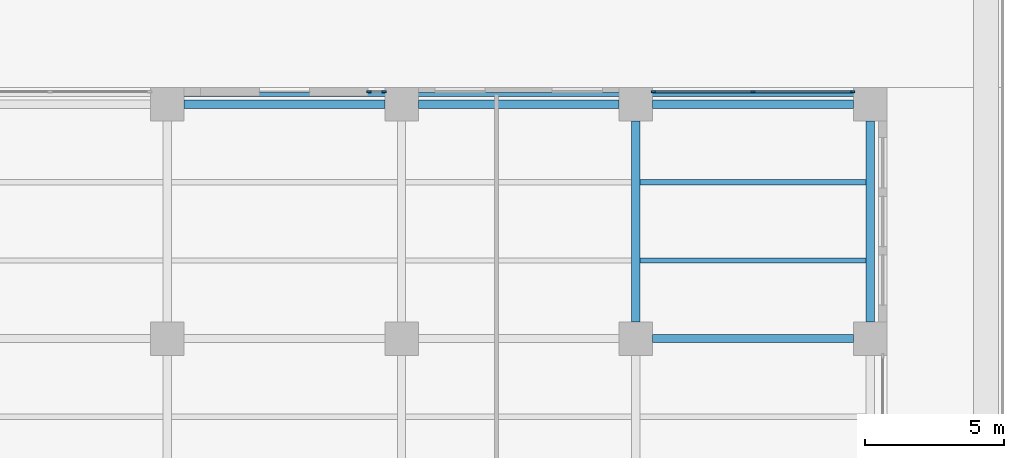
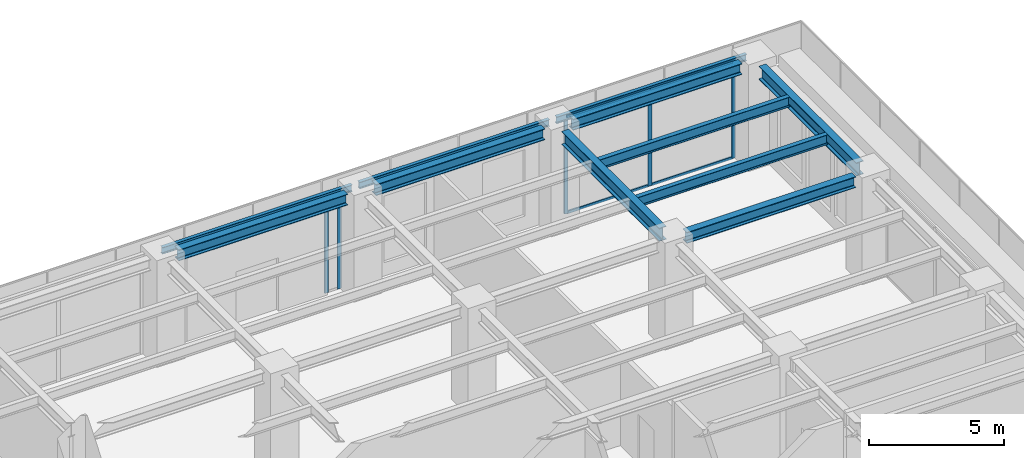
# One storey, part 16 of 53: 11 beams, 9 members, 2 elements without a shape of their own.
"""IFC4 building model written with IfcOpenShell, lengths in metres."""

from ifc_helpers import new_model, si_unit, direction, frame, origin, origin_2d, place, context, subcontext, project, spatial, rectangle, i_section, extrude, material, material_profile, profile_set, type_object, element, aggregate, save


model = new_model("IFC4")

# Units and contexts
model_context = context("Model", 3, precision=1e-05, world=origin(), true_north=direction((0.0, 1.0)))
body_context = subcontext(model_context, "Body", "Model", "MODEL_VIEW")
ifc_project = project(units=[si_unit("LENGTHUNIT", "METRE"), si_unit("AREAUNIT", "SQUARE_METRE"), si_unit("VOLUMEUNIT", "CUBIC_METRE"), si_unit("PLANEANGLEUNIT", "RADIAN"), si_unit("MASSUNIT", "GRAM", prefix="KILO")], contexts=[model_context])

# Site, building, storey
site_placement = place(None, origin())
site = spatial("IfcSite", under=ifc_project, at=site_placement, CompositionType="ELEMENT")
building_placement = place(site_placement, origin())
building = spatial("IfcBuilding", under=site, at=building_placement, Name="Khepri Terraces", CompositionType="ELEMENT")
storey_placement = place(building_placement, frame((0.0, 0.0, 7.199951171875)))
storey = spatial("IfcBuildingStorey", under=building, at=storey_placement, Name="L01", CompositionType="ELEMENT", Elevation=7.199951171875)

# Curtain wall, members
ifc_material_1 = material(Name="Anodised aluminium bronze curtain wall", Category="aluminium")
curtain_wall_type = type_object("IfcCurtainWallType", Name="CW-SYS2-PODIUM", PredefinedType="NOTDEFINED", material=ifc_material_1)
curtain_wall_1_placement = place(storey_placement, origin())
curtain_wall_1 = element("IfcCurtainWall", 1, at=curtain_wall_1_placement, inside=storey, type_object=curtain_wall_type, Name="Curtain wall CW2 L01 N", PredefinedType="NOTDEFINED")
ifc_material_2 = material(Name="Anodised aluminium bronze", Category="aluminium")
ifc_material_profile_1 = material_profile(ifc_material_2, rectangle(XDim=0.06005859375, YDim=0.159912109375, at=origin_2d()), Name="Anodised aluminium bronze", Category="aluminium")
ifc_profile_set_1 = profile_set([ifc_material_profile_1], Name="Anodised aluminium bronze")
member_type_1 = type_object("IfcMemberType", Name="CW-MULLION-60x160", PredefinedType="MULLION", material=ifc_profile_set_1)
member_1_placement = place(storey_placement, frame((41.3701171875, 42.449951171875, 0.0), z_axis=(0.0, 0.0, 1.0), x_axis=(0.0, -1.0, 0.0)))
member_1 = element("IfcMember", 2, at=member_1_placement, type_object=member_type_1, Name="CW2 mullion 1", PredefinedType="MULLION", context=body_context, shape_type="SweptSolid", body=[
    extrude(rectangle(XDim=0.06005859375, YDim=0.159912109375, at=origin_2d()), origin(), (0.0, 0.0, 1.0), 4.380126953125),
])
member_2_placement = place(storey_placement, frame((37.800048828125, 42.449951171875, 0.0), z_axis=(0.0, 0.0, 1.0), x_axis=(0.0, -1.0, 0.0)))
member_2 = element("IfcMember", 3, at=member_2_placement, type_object=member_type_1, Name="CW2 mullion 2", PredefinedType="MULLION", context=body_context, shape_type="SweptSolid", body=[
    extrude(rectangle(XDim=0.06005859375, YDim=0.159912109375, at=origin_2d()), origin(), (0.0, 0.0, 1.0), 4.380126953125),
])
member_3_placement = place(storey_placement, frame((34.22998046875, 42.449951171875, 0.0), z_axis=(0.0, 0.0, 1.0), x_axis=(0.0, -1.0, 0.0)))
member_3 = element("IfcMember", 4, at=member_3_placement, type_object=member_type_1, Name="CW2 mullion 3", PredefinedType="MULLION", context=body_context, shape_type="SweptSolid", body=[
    extrude(rectangle(XDim=0.06005859375, YDim=0.159912109375, at=origin_2d()), origin(), (0.0, 0.0, 1.0), 4.380126953125),
])

curtain_wall_2_placement = place(storey_placement, origin())
curtain_wall_2 = element("IfcCurtainWall", 5, at=curtain_wall_2_placement, inside=storey, type_object=curtain_wall_type, Name="Curtain wall CW2 L01 N", PredefinedType="NOTDEFINED")
member_4_placement = place(storey_placement, frame((24.570068359375, 42.449951171875, 0.0), z_axis=(0.0, 0.0, 1.0), x_axis=(0.0, -1.0, 0.0)))
member_4 = element("IfcMember", 6, at=member_4_placement, type_object=member_type_1, Name="CW2 mullion 1", PredefinedType="MULLION", context=body_context, shape_type="SweptSolid", body=[
    extrude(rectangle(XDim=0.06005859375, YDim=0.159912109375, at=origin_2d()), origin(), (0.0, 0.0, 1.0), 4.380126953125),
])
member_5_placement = place(storey_placement, frame((24.030029296875, 42.449951171875, 0.0), z_axis=(0.0, 0.0, 1.0), x_axis=(0.0, -1.0, 0.0)))
member_5 = element("IfcMember", 7, at=member_5_placement, type_object=member_type_1, Name="CW2 mullion 2", PredefinedType="MULLION", context=body_context, shape_type="SweptSolid", body=[
    extrude(rectangle(XDim=0.06005859375, YDim=0.159912109375, at=origin_2d()), origin(), (0.0, 0.0, 1.0), 4.380126953125),
])
aggregate(curtain_wall_2, [member_4, member_5])

# Member
ifc_material_profile_2 = material_profile(ifc_material_2, rectangle(XDim=0.06005859375, YDim=0.1201171875, at=origin_2d()), Name="Anodised aluminium bronze", Category="aluminium")
ifc_profile_set_2 = profile_set([ifc_material_profile_2], Name="Anodised aluminium bronze")
member_type_2 = type_object("IfcMemberType", Name="CW-TRANSOM-60x120", PredefinedType="USERDEFINED", material=ifc_profile_set_2)
member_6_placement = place(storey_placement, frame((41.340087890625, 42.449951171875, 0.030029296875), z_axis=(-1.0, 0.0, 0.0), x_axis=(0.0, -1.0, 0.0)))
member_6 = element("IfcMember", 8, at=member_6_placement, type_object=member_type_2, Name="CW2 transom 1.1", ObjectType="TRANSOM", PredefinedType="USERDEFINED", context=body_context, shape_type="SweptSolid", body=[
    extrude(rectangle(XDim=0.06005859375, YDim=0.1201171875, at=origin_2d()), origin(), (0.0, 0.0, 1.0), 3.510009765625),
])

member_7_placement = place(storey_placement, frame((41.340087890625, 42.449951171875, 4.35009765625), z_axis=(-1.0, 0.0, 0.0), x_axis=(0.0, -1.0, 0.0)))
member_7 = element("IfcMember", 9, at=member_7_placement, type_object=member_type_2, Name="CW2 transom 1.2", ObjectType="TRANSOM", PredefinedType="USERDEFINED", context=body_context, shape_type="SweptSolid", body=[
    extrude(rectangle(XDim=0.06005859375, YDim=0.1201171875, at=origin_2d()), origin(), (0.0, 0.0, 1.0), 3.510009765625),
])

member_8_placement = place(storey_placement, frame((37.77001953125, 42.449951171875, 0.030029296875), z_axis=(-1.0, 0.0, 0.0), x_axis=(0.0, -1.0, 0.0)))
member_8 = element("IfcMember", 10, at=member_8_placement, type_object=member_type_2, Name="CW2 transom 2.1", ObjectType="TRANSOM", PredefinedType="USERDEFINED", context=body_context, shape_type="SweptSolid", body=[
    extrude(rectangle(XDim=0.06005859375, YDim=0.1201171875, at=origin_2d()), origin(), (0.0, 0.0, 1.0), 3.510009765625),
])

member_9_placement = place(storey_placement, frame((37.77001953125, 42.449951171875, 4.35009765625), z_axis=(-1.0, 0.0, 0.0), x_axis=(0.0, -1.0, 0.0)))
member_9 = element("IfcMember", 11, at=member_9_placement, type_object=member_type_2, Name="CW2 transom 2.2", ObjectType="TRANSOM", PredefinedType="USERDEFINED", context=body_context, shape_type="SweptSolid", body=[
    extrude(rectangle(XDim=0.06005859375, YDim=0.1201171875, at=origin_2d()), origin(), (0.0, 0.0, 1.0), 3.510009765625),
])

aggregate(curtain_wall_1, [member_1, member_2, member_3, member_6, member_7, member_8, member_9])

# Beams
ifc_material_3 = material(Name="Steel S355", Category="steel")
ifc_material_profile_3 = material_profile(ifc_material_3, i_section(OverallWidth=0.14990234375, OverallDepth=0.300048828125, WebThickness=0.007080078125, FlangeThickness=0.0107421875, FilletRadius=0.014892578125, at=origin_2d()), Name="Steel S355", Category="steel")
ifc_profile_set_3 = profile_set([ifc_material_profile_3], Name="Steel S355")
beam_type_1 = type_object("IfcBeamType", Name="Podium edge beam L02 IPE 300", PredefinedType="SPANDREL", material=ifc_profile_set_3)
beam_1_placement = place(storey_placement, frame((16.949951171875, 42.35009765625, 4.449951171875), z_axis=(1.0, 0.0, 0.0), x_axis=(0.0, 1.0, 0.0)))
element("IfcBeam", 12, at=beam_1_placement, inside=storey, type_object=beam_type_1, Name="Podium edge beam L02 018", PredefinedType="SPANDREL", context=body_context, shape_type="SweptSolid", body=[
    extrude(i_section(OverallWidth=0.14990234375, OverallDepth=0.300048828125, WebThickness=0.007080078125, FlangeThickness=0.0107421875, FilletRadius=0.014892578125, at=origin_2d()), origin(), (0.0, 0.0, 1.0), 8.10009765625),
])
beam_2_placement = place(storey_placement, frame((25.35009765625, 42.35009765625, 4.449951171875), z_axis=(1.0, 0.0, 0.0), x_axis=(0.0, 1.0, 0.0)))
element("IfcBeam", 13, at=beam_2_placement, inside=storey, type_object=beam_type_1, Name="Podium edge beam L02 019", PredefinedType="SPANDREL", context=body_context, shape_type="SweptSolid", body=[
    extrude(i_section(OverallWidth=0.14990234375, OverallDepth=0.300048828125, WebThickness=0.007080078125, FlangeThickness=0.0107421875, FilletRadius=0.014892578125, at=origin_2d()), origin(), (0.0, 0.0, 1.0), 8.099853515625),
])
beam_3_placement = place(storey_placement, frame((33.75, 42.35009765625, 4.449951171875), z_axis=(1.0, 0.0, 0.0), x_axis=(0.0, 1.0, 0.0)))
element("IfcBeam", 14, at=beam_3_placement, inside=storey, type_object=beam_type_1, Name="Podium edge beam L02 020", PredefinedType="SPANDREL", context=body_context, shape_type="SweptSolid", body=[
    extrude(i_section(OverallWidth=0.14990234375, OverallDepth=0.300048828125, WebThickness=0.007080078125, FlangeThickness=0.0107421875, FilletRadius=0.014892578125, at=origin_2d()), origin(), (0.0, 0.0, 1.0), 8.10009765625),
])
ifc_material_profile_4 = material_profile(ifc_material_3, i_section(OverallWidth=0.300048828125, OverallDepth=0.60009765625, WebThickness=0.015380859375, FlangeThickness=0.030029296875, FilletRadius=0.027099609375, at=origin_2d()), Name="Steel S355", Category="steel")
ifc_profile_set_4 = profile_set([ifc_material_profile_4], Name="Steel S355")
beam_type_2 = type_object("IfcBeamType", Name="Podium girder L02 HEB 600", PredefinedType="BEAM", material=ifc_profile_set_4)
for number, where, z_axis, x_axis, name in (
    (15, (33.60009765625, 34.199951171875, 4.300048828125), (0.0, 1.0, 0.0), (-1.0, 0.0, 0.0), "Podium girder L02 066"),
    (16, (42.0, 34.199951171875, 4.300048828125), (0.0, 1.0, 0.0), (-1.0, 0.0, 0.0), "Podium girder L02 076"),
):
    element("IfcBeam", number, at=place(storey_placement, frame(where, z_axis=z_axis, x_axis=x_axis)), inside=storey, type_object=beam_type_2, Name=name, PredefinedType="BEAM", context=body_context, shape_type="SweptSolid", body=[
        extrude(i_section(OverallWidth=0.300048828125, OverallDepth=0.60009765625, WebThickness=0.015380859375, FlangeThickness=0.030029296875, FilletRadius=0.027099609375, at=origin_2d()), origin(), (0.0, 0.0, 1.0), 7.199951171875),
    ])
ifc_material_profile_5 = material_profile(ifc_material_3, i_section(OverallWidth=0.300048828125, OverallDepth=0.5, WebThickness=0.014404296875, FlangeThickness=0.028076171875, FilletRadius=0.027099609375, at=origin_2d()), Name="Steel S355", Category="steel")
ifc_profile_set_5 = profile_set([ifc_material_profile_5], Name="Steel S355")
beam_type_3 = type_object("IfcBeamType", Name="Podium girder L02 grid line HEB 500", PredefinedType="BEAM", material=ifc_profile_set_5)
beam_4_placement = place(storey_placement, frame((34.199951171875, 33.60009765625, 4.35009765625), z_axis=(1.0, 0.0, 0.0), x_axis=(0.0, 1.0, 0.0)))
element("IfcBeam", 17, at=beam_4_placement, inside=storey, type_object=beam_type_3, Name="Podium grid-line girder L02 174", PredefinedType="BEAM", context=body_context, shape_type="SweptSolid", body=[
    extrude(i_section(OverallWidth=0.300048828125, OverallDepth=0.5, WebThickness=0.014404296875, FlangeThickness=0.028076171875, FilletRadius=0.027099609375, at=origin_2d()), origin(), (0.0, 0.0, 1.0), 7.199951171875),
])
beam_5_placement = place(storey_placement, frame((17.39990234375, 42.0, 4.35009765625), z_axis=(1.0, 0.0, 0.0), x_axis=(0.0, 1.0, 0.0)))
element("IfcBeam", 18, at=beam_5_placement, inside=storey, type_object=beam_type_3, Name="Podium grid-line girder L02 202", PredefinedType="BEAM", context=body_context, shape_type="SweptSolid", body=[
    extrude(i_section(OverallWidth=0.300048828125, OverallDepth=0.5, WebThickness=0.014404296875, FlangeThickness=0.028076171875, FilletRadius=0.027099609375, at=origin_2d()), origin(), (0.0, 0.0, 1.0), 7.2001953125),
])
for number, where, z_axis, x_axis, name in (
    (19, (25.800048828125, 42.0, 4.35009765625), (1.0, 0.0, 0.0), (0.0, 1.0, 0.0), "Podium grid-line girder L02 203"),
    (20, (34.199951171875, 42.0, 4.35009765625), (1.0, 0.0, 0.0), (0.0, 1.0, 0.0), "Podium grid-line girder L02 204"),
):
    element("IfcBeam", number, at=place(storey_placement, frame(where, z_axis=z_axis, x_axis=x_axis)), inside=storey, type_object=beam_type_3, Name=name, PredefinedType="BEAM", context=body_context, shape_type="SweptSolid", body=[
        extrude(i_section(OverallWidth=0.300048828125, OverallDepth=0.5, WebThickness=0.014404296875, FlangeThickness=0.028076171875, FilletRadius=0.027099609375, at=origin_2d()), origin(), (0.0, 0.0, 1.0), 7.199951171875),
    ])
ifc_material_profile_6 = material_profile(ifc_material_3, i_section(OverallWidth=0.18994140625, OverallDepth=0.449951171875, WebThickness=0.009521484375, FlangeThickness=0.0146484375, FilletRadius=0.02099609375, at=origin_2d()), Name="Steel S355", Category="steel")
ifc_profile_set_6 = profile_set([ifc_material_profile_6], Name="Steel S355")
beam_type_4 = type_object("IfcBeamType", Name="Podium joist L02 IPE 450", PredefinedType="JOIST", material=ifc_profile_set_6)
for number, where, z_axis, x_axis, name in (
    (21, (33.75, 36.39990234375, 4.375), (1.0, 0.0, 0.0), (0.0, 1.0, 0.0), "Podium joist L02 184"),
    (22, (33.75, 39.199951171875, 4.375), (1.0, 0.0, 0.0), (0.0, 1.0, 0.0), "Podium joist L02 194"),
):
    element("IfcBeam", number, at=place(storey_placement, frame(where, z_axis=z_axis, x_axis=x_axis)), inside=storey, type_object=beam_type_4, Name=name, PredefinedType="JOIST", context=body_context, shape_type="SweptSolid", body=[
        extrude(i_section(OverallWidth=0.18994140625, OverallDepth=0.449951171875, WebThickness=0.009521484375, FlangeThickness=0.0146484375, FilletRadius=0.02099609375, at=origin_2d()), origin(), (0.0, 0.0, 1.0), 8.10009765625),
    ])

save(model, "model.ifc")
